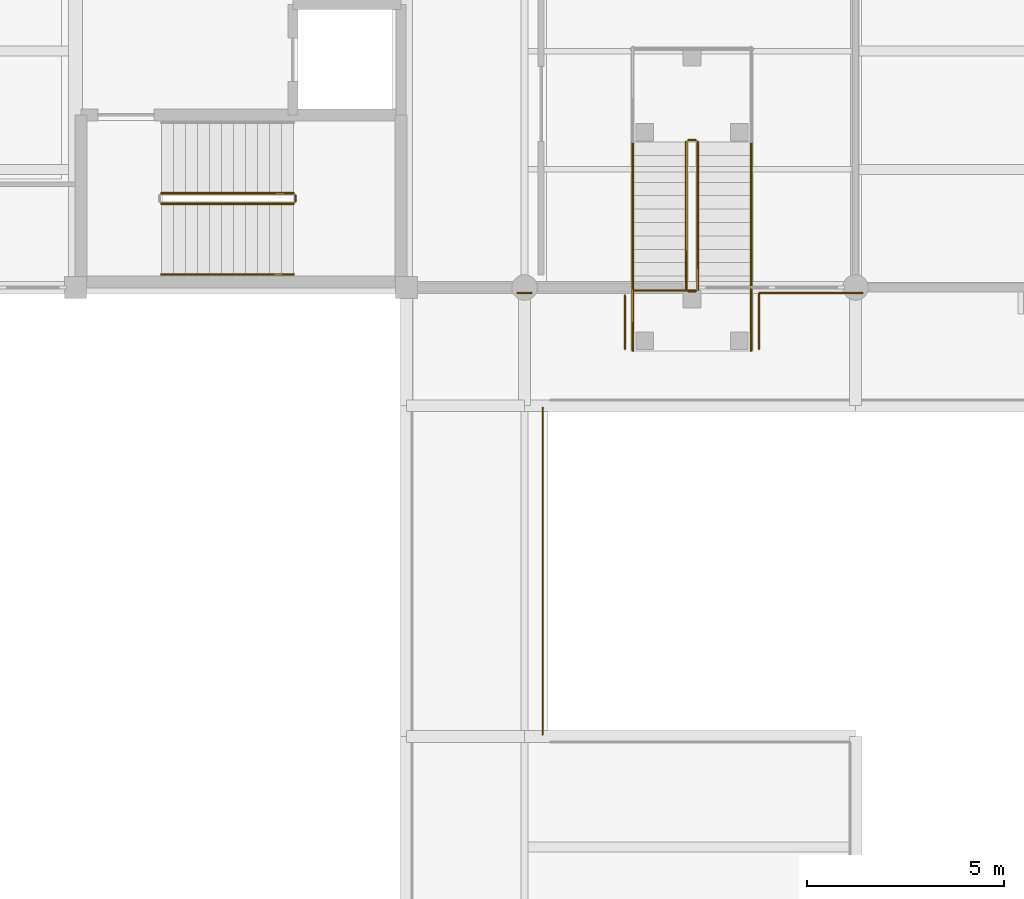
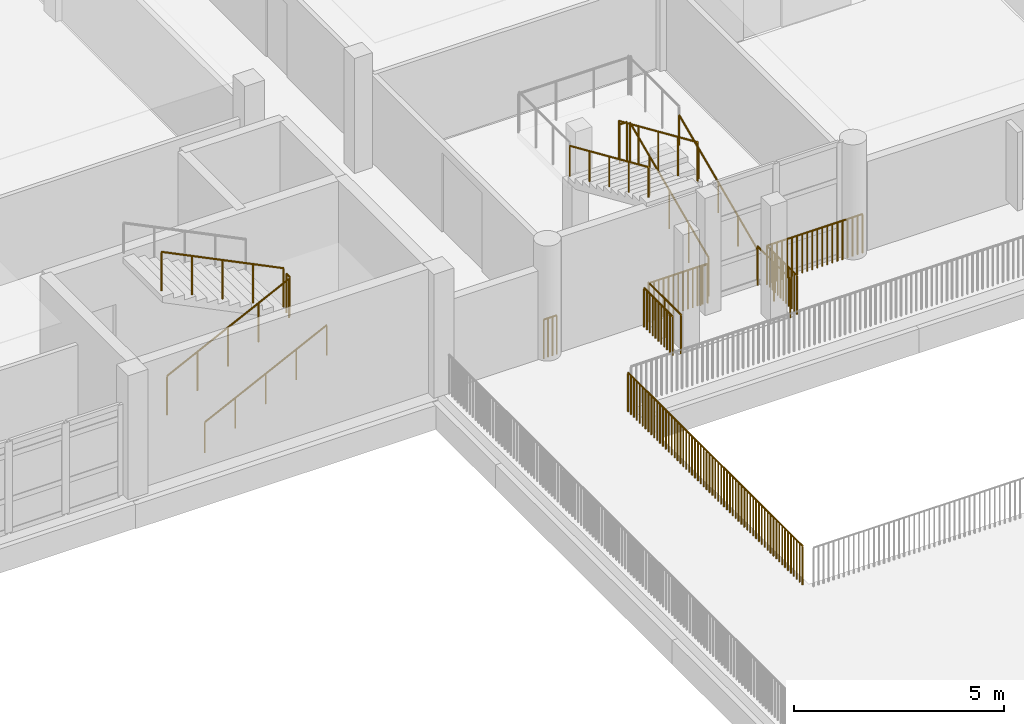
# One storey, part 39 of 51: 18 railings.
"""IFC4 building model written with IfcOpenShell, lengths in metres."""

from ifc_helpers import new_model, si_unit, direction, frame, origin, origin_2d, place, context, subcontext, project, spatial, circle, extrude, material, type_object, element, save


model = new_model("IFC4")

# Units and contexts
model_context = context("Model", 3, precision=1e-05, world=origin(), true_north=direction((0.0, 1.0)))
body_context = subcontext(model_context, "Body", "Model", "MODEL_VIEW")
ifc_project = project(units=[si_unit("LENGTHUNIT", "METRE"), si_unit("AREAUNIT", "SQUARE_METRE"), si_unit("VOLUMEUNIT", "CUBIC_METRE"), si_unit("PLANEANGLEUNIT", "RADIAN"), si_unit("MASSUNIT", "GRAM", prefix="KILO")], contexts=[model_context])

# Site, building, storey
site_placement = place(None, origin())
site = spatial("IfcSite", under=ifc_project, at=site_placement, CompositionType="ELEMENT")
building_placement = place(site_placement, origin())
building = spatial("IfcBuilding", under=site, at=building_placement, Name="Vanh Quang Courtyard School", CompositionType="ELEMENT")
storey_placement = place(building_placement, frame((0.0, 0.0, 11.39990234375)))
storey = spatial("IfcBuildingStorey", under=building, at=storey_placement, Name="L03", CompositionType="ELEMENT", Elevation=11.39990234375)

# Railings
ifc_material_1 = material(Name="Galvanised painted steel EN 10025-2 S355J2", Category="steel")
railing_type_1 = type_object("IfcRailingType", Name="RAIL-GUARD-1150", PredefinedType="BALUSTRADE", material=ifc_material_1)
railing_1_placement = place(storey_placement, frame((77.2197265625, 32.260009765625, 0.0)))
element("IfcRailing", 1, at=railing_1_placement, inside=storey, type_object=railing_type_1, Name="Railing GR-01 (L03)", PredefinedType="BALUSTRADE", context=body_context, shape_type="SweptSolid", body=[
    extrude(circle(Radius=0.02392578125, at=origin_2d()), frame((0.0, 0.0, 1.1259765625), z_axis=(1.0, 0.0, 0.0), x_axis=(0.0, 1.0, 0.0)), (0.0, 0.0, 1.0), 0.360595703125),
    extrude(circle(Radius=0.02099609375, at=origin_2d()), origin(), (0.0, 0.0, 1.0), 1.101806640625),
    extrude(circle(Radius=0.02099609375, at=origin_2d()), frame((0.1201171875, 0.0, 0.0)), (0.0, 0.0, 1.0), 1.101806640625),
    extrude(circle(Radius=0.02099609375, at=origin_2d()), frame((0.240478515625, 0.0, 0.0)), (0.0, 0.0, 1.0), 1.101806640625),
    extrude(circle(Radius=0.02099609375, at=origin_2d()), frame((0.360595703125, 0.0, 0.0)), (0.0, 0.0, 1.0), 1.101806640625),
])
railing_2_placement = place(storey_placement, frame((79.945068359375, 32.199951171875, 0.0)))
element("IfcRailing", 2, at=railing_2_placement, inside=storey, type_object=railing_type_1, Name="Railing GR-01 (L03)", PredefinedType="BALUSTRADE", context=body_context, shape_type="SweptSolid", body=[
    extrude(circle(Radius=0.02392578125, at=origin_2d()), frame((0.0, 0.0, 1.1259765625), z_axis=(0.0, -1.0, 0.0), x_axis=(1.0, 0.0, 0.0)), (0.0, 0.0, 1.0), 1.364990234375),
    extrude(circle(Radius=0.02099609375, at=origin_2d()), origin(), (0.0, 0.0, 1.0), 1.101806640625),
    extrude(circle(Radius=0.02099609375, at=origin_2d()), frame((0.0, -0.136474609375, 0.0)), (0.0, 0.0, 1.0), 1.101806640625),
    extrude(circle(Radius=0.02099609375, at=origin_2d()), frame((0.0, -0.27294921875, 0.0)), (0.0, 0.0, 1.0), 1.101806640625),
    extrude(circle(Radius=0.02099609375, at=origin_2d()), frame((0.0, -0.409423828125, 0.0)), (0.0, 0.0, 1.0), 1.101806640625),
    extrude(circle(Radius=0.02099609375, at=origin_2d()), frame((0.0, -0.5458984375, 0.0)), (0.0, 0.0, 1.0), 1.101806640625),
    extrude(circle(Radius=0.02099609375, at=origin_2d()), frame((0.0, -0.6826171875, 0.0)), (0.0, 0.0, 1.0), 1.101806640625),
    extrude(circle(Radius=0.02099609375, at=origin_2d()), frame((0.0, -0.819091796875, 0.0)), (0.0, 0.0, 1.0), 1.101806640625),
    extrude(circle(Radius=0.02099609375, at=origin_2d()), frame((0.0, -0.95556640625, 0.0)), (0.0, 0.0, 1.0), 1.101806640625),
    extrude(circle(Radius=0.02099609375, at=origin_2d()), frame((0.0, -1.092041015625, 0.0)), (0.0, 0.0, 1.0), 1.101806640625),
    extrude(circle(Radius=0.02099609375, at=origin_2d()), frame((0.0, -1.228515625, 0.0)), (0.0, 0.0, 1.0), 1.101806640625),
    extrude(circle(Radius=0.02099609375, at=origin_2d()), frame((0.0, -1.364990234375, 0.0)), (0.0, 0.0, 1.0), 1.101806640625),
])
railing_3_placement = place(storey_placement, frame((83.35498046875, 30.8369140625, 0.0)))
element("IfcRailing", 3, at=railing_3_placement, inside=storey, type_object=railing_type_1, Name="Railing GR-01 (L03)", PredefinedType="BALUSTRADE", context=body_context, shape_type="SweptSolid", body=[
    extrude(circle(Radius=0.02392578125, at=origin_2d()), frame((0.0, 0.0, 1.1259765625), z_axis=(-0.001200891225, 0.99999927893, 0.0), x_axis=(-0.99999927893, -0.001200891225, 0.0)), (0.0, 0.0, 1.0), 1.423095703125),
    extrude(circle(Radius=0.02099609375, at=origin_2d()), origin(), (0.0, 0.0, 1.0), 1.101806640625),
    extrude(circle(Radius=0.02099609375, at=origin_2d()), frame((-0.000244140625, 0.12939453125, 0.0)), (0.0, 0.0, 1.0), 1.101806640625),
    extrude(circle(Radius=0.02099609375, at=origin_2d()), frame((-0.000244140625, 0.2587890625, 0.0)), (0.0, 0.0, 1.0), 1.101806640625),
    extrude(circle(Radius=0.02099609375, at=origin_2d()), frame((-0.00048828125, 0.38818359375, 0.0)), (0.0, 0.0, 1.0), 1.101806640625),
    extrude(circle(Radius=0.02099609375, at=origin_2d()), frame((-0.000732421875, 0.517578125, 0.0)), (0.0, 0.0, 1.0), 1.101806640625),
    extrude(circle(Radius=0.02099609375, at=origin_2d()), frame((-0.000732421875, 0.64697265625, 0.0)), (0.0, 0.0, 1.0), 1.101806640625),
    extrude(circle(Radius=0.02099609375, at=origin_2d()), frame((-0.0009765625, 0.776123046875, 0.0)), (0.0, 0.0, 1.0), 1.101806640625),
    extrude(circle(Radius=0.02099609375, at=origin_2d()), frame((-0.0009765625, 0.905517578125, 0.0)), (0.0, 0.0, 1.0), 1.101806640625),
    extrude(circle(Radius=0.02099609375, at=origin_2d()), frame((-0.001220703125, 1.034912109375, 0.0)), (0.0, 0.0, 1.0), 1.101806640625),
    extrude(circle(Radius=0.02099609375, at=origin_2d()), frame((-0.00146484375, 1.164306640625, 0.0)), (0.0, 0.0, 1.0), 1.101806640625),
    extrude(circle(Radius=0.02099609375, at=origin_2d()), frame((-0.00146484375, 1.293701171875, 0.0)), (0.0, 0.0, 1.0), 1.101806640625),
    extrude(circle(Radius=0.02099609375, at=origin_2d()), frame((-0.001708984375, 1.423095703125, 0.0)), (0.0, 0.0, 1.0), 1.101806640625),
])
railing_4_placement = place(storey_placement, frame((83.353271484375, 32.260009765625, 0.0)))
element("IfcRailing", 4, at=railing_4_placement, inside=storey, type_object=railing_type_1, Name="Railing GR-01 (L03)", PredefinedType="BALUSTRADE", context=body_context, shape_type="SweptSolid", body=[
    extrude(circle(Radius=0.02392578125, at=origin_2d()), frame((0.0, 0.0, 1.1259765625), z_axis=(1.0, 0.0, 0.0), x_axis=(0.0, 1.0, 0.0)), (0.0, 0.0, 1.0), 2.626953125),
    extrude(circle(Radius=0.02099609375, at=origin_2d()), origin(), (0.0, 0.0, 1.0), 1.101806640625),
    extrude(circle(Radius=0.02099609375, at=origin_2d()), frame((0.13818359375, 0.0, 0.0)), (0.0, 0.0, 1.0), 1.101806640625),
    extrude(circle(Radius=0.02099609375, at=origin_2d()), frame((0.276611328125, 0.0, 0.0)), (0.0, 0.0, 1.0), 1.101806640625),
    extrude(circle(Radius=0.02099609375, at=origin_2d()), frame((0.414794921875, 0.0, 0.0)), (0.0, 0.0, 1.0), 1.101806640625),
    extrude(circle(Radius=0.02099609375, at=origin_2d()), frame((0.552978515625, 0.0, 0.0)), (0.0, 0.0, 1.0), 1.101806640625),
    extrude(circle(Radius=0.02099609375, at=origin_2d()), frame((0.69140625, 0.0, 0.0)), (0.0, 0.0, 1.0), 1.101806640625),
    extrude(circle(Radius=0.02099609375, at=origin_2d()), frame((0.82958984375, 0.0, 0.0)), (0.0, 0.0, 1.0), 1.101806640625),
    extrude(circle(Radius=0.02099609375, at=origin_2d()), frame((0.9677734375, 0.0, 0.0)), (0.0, 0.0, 1.0), 1.101806640625),
    extrude(circle(Radius=0.02099609375, at=origin_2d()), frame((1.106201171875, 0.0, 0.0)), (0.0, 0.0, 1.0), 1.101806640625),
    extrude(circle(Radius=0.02099609375, at=origin_2d()), frame((1.244384765625, 0.0, 0.0)), (0.0, 0.0, 1.0), 1.101806640625),
    extrude(circle(Radius=0.02099609375, at=origin_2d()), frame((1.382568359375, 0.0, 0.0)), (0.0, 0.0, 1.0), 1.101806640625),
    extrude(circle(Radius=0.02099609375, at=origin_2d()), frame((1.520751953125, 0.0, 0.0)), (0.0, 0.0, 1.0), 1.101806640625),
    extrude(circle(Radius=0.02099609375, at=origin_2d()), frame((1.6591796875, 0.0, 0.0)), (0.0, 0.0, 1.0), 1.101806640625),
    extrude(circle(Radius=0.02099609375, at=origin_2d()), frame((1.79736328125, 0.0, 0.0)), (0.0, 0.0, 1.0), 1.101806640625),
    extrude(circle(Radius=0.02099609375, at=origin_2d()), frame((1.935546875, 0.0, 0.0)), (0.0, 0.0, 1.0), 1.101806640625),
    extrude(circle(Radius=0.02099609375, at=origin_2d()), frame((2.073974609375, 0.0, 0.0)), (0.0, 0.0, 1.0), 1.101806640625),
    extrude(circle(Radius=0.02099609375, at=origin_2d()), frame((2.212158203125, 0.0, 0.0)), (0.0, 0.0, 1.0), 1.101806640625),
    extrude(circle(Radius=0.02099609375, at=origin_2d()), frame((2.350341796875, 0.0, 0.0)), (0.0, 0.0, 1.0), 1.101806640625),
    extrude(circle(Radius=0.02099609375, at=origin_2d()), frame((2.48876953125, 0.0, 0.0)), (0.0, 0.0, 1.0), 1.101806640625),
    extrude(circle(Radius=0.02099609375, at=origin_2d()), frame((2.626953125, 0.0, 0.0)), (0.0, 0.0, 1.0), 1.101806640625),
])
railing_5_placement = place(storey_placement, frame((77.860107421875, 29.35009765625, 0.0)))
element("IfcRailing", 5, at=railing_5_placement, inside=storey, type_object=railing_type_1, Name="Railing GR-01 (L03)", PredefinedType="BALUSTRADE", context=body_context, shape_type="SweptSolid", body=[
    extrude(circle(Radius=0.02392578125, at=origin_2d()), frame((0.0, 0.0, 1.1259765625), z_axis=(0.0, -1.0, 0.0), x_axis=(1.0, 0.0, 0.0)), (0.0, 0.0, 1.0), 8.300048828125),
    extrude(circle(Radius=0.02099609375, at=origin_2d()), origin(), (0.0, 0.0, 1.0), 1.101806640625),
    extrude(circle(Radius=0.02099609375, at=origin_2d()), frame((0.0, -0.138427734375, 0.0)), (0.0, 0.0, 1.0), 1.101806640625),
    extrude(circle(Radius=0.02099609375, at=origin_2d()), frame((0.0, -0.276611328125, 0.0)), (0.0, 0.0, 1.0), 1.101806640625),
    extrude(circle(Radius=0.02099609375, at=origin_2d()), frame((0.0, -0.4150390625, 0.0)), (0.0, 0.0, 1.0), 1.101806640625),
    extrude(circle(Radius=0.02099609375, at=origin_2d()), frame((0.0, -0.55322265625, 0.0)), (0.0, 0.0, 1.0), 1.101806640625),
    extrude(circle(Radius=0.02099609375, at=origin_2d()), frame((0.0, -0.691650390625, 0.0)), (0.0, 0.0, 1.0), 1.101806640625),
    extrude(circle(Radius=0.02099609375, at=origin_2d()), frame((0.0, -0.830078125, 0.0)), (0.0, 0.0, 1.0), 1.101806640625),
    extrude(circle(Radius=0.02099609375, at=origin_2d()), frame((0.0, -0.96826171875, 0.0)), (0.0, 0.0, 1.0), 1.101806640625),
    extrude(circle(Radius=0.02099609375, at=origin_2d()), frame((0.0, -1.106689453125, 0.0)), (0.0, 0.0, 1.0), 1.101806640625),
    extrude(circle(Radius=0.02099609375, at=origin_2d()), frame((0.0, -1.2451171875, 0.0)), (0.0, 0.0, 1.0), 1.101806640625),
    extrude(circle(Radius=0.02099609375, at=origin_2d()), frame((0.0, -1.38330078125, 0.0)), (0.0, 0.0, 1.0), 1.101806640625),
    extrude(circle(Radius=0.02099609375, at=origin_2d()), frame((0.0, -1.521728515625, 0.0)), (0.0, 0.0, 1.0), 1.101806640625),
    extrude(circle(Radius=0.02099609375, at=origin_2d()), frame((0.0, -1.659912109375, 0.0)), (0.0, 0.0, 1.0), 1.101806640625),
    extrude(circle(Radius=0.02099609375, at=origin_2d()), frame((0.0, -1.79833984375, 0.0)), (0.0, 0.0, 1.0), 1.101806640625),
    extrude(circle(Radius=0.02099609375, at=origin_2d()), frame((0.0, -1.936767578125, 0.0)), (0.0, 0.0, 1.0), 1.101806640625),
    extrude(circle(Radius=0.02099609375, at=origin_2d()), frame((0.0, -2.074951171875, 0.0)), (0.0, 0.0, 1.0), 1.101806640625),
    extrude(circle(Radius=0.02099609375, at=origin_2d()), frame((0.0, -2.21337890625, 0.0)), (0.0, 0.0, 1.0), 1.101806640625),
    extrude(circle(Radius=0.02099609375, at=origin_2d()), frame((0.0, -2.3515625, 0.0)), (0.0, 0.0, 1.0), 1.101806640625),
    extrude(circle(Radius=0.02099609375, at=origin_2d()), frame((0.0, -2.489990234375, 0.0)), (0.0, 0.0, 1.0), 1.101806640625),
    extrude(circle(Radius=0.02099609375, at=origin_2d()), frame((0.0, -2.62841796875, 0.0)), (0.0, 0.0, 1.0), 1.101806640625),
    extrude(circle(Radius=0.02099609375, at=origin_2d()), frame((0.0, -2.7666015625, 0.0)), (0.0, 0.0, 1.0), 1.101806640625),
    extrude(circle(Radius=0.02099609375, at=origin_2d()), frame((0.0, -2.905029296875, 0.0)), (0.0, 0.0, 1.0), 1.101806640625),
    extrude(circle(Radius=0.02099609375, at=origin_2d()), frame((0.0, -3.04345703125, 0.0)), (0.0, 0.0, 1.0), 1.101806640625),
    extrude(circle(Radius=0.02099609375, at=origin_2d()), frame((0.0, -3.181640625, 0.0)), (0.0, 0.0, 1.0), 1.101806640625),
    extrude(circle(Radius=0.02099609375, at=origin_2d()), frame((0.0, -3.320068359375, 0.0)), (0.0, 0.0, 1.0), 1.101806640625),
    extrude(circle(Radius=0.02099609375, at=origin_2d()), frame((0.0, -3.458251953125, 0.0)), (0.0, 0.0, 1.0), 1.101806640625),
    extrude(circle(Radius=0.02099609375, at=origin_2d()), frame((0.0, -3.5966796875, 0.0)), (0.0, 0.0, 1.0), 1.101806640625),
    extrude(circle(Radius=0.02099609375, at=origin_2d()), frame((0.0, -3.735107421875, 0.0)), (0.0, 0.0, 1.0), 1.101806640625),
    extrude(circle(Radius=0.02099609375, at=origin_2d()), frame((0.0, -3.873291015625, 0.0)), (0.0, 0.0, 1.0), 1.101806640625),
    extrude(circle(Radius=0.02099609375, at=origin_2d()), frame((0.0, -4.01171875, 0.0)), (0.0, 0.0, 1.0), 1.101806640625),
    extrude(circle(Radius=0.02099609375, at=origin_2d()), frame((0.0, -4.14990234375, 0.0)), (0.0, 0.0, 1.0), 1.101806640625),
    extrude(circle(Radius=0.02099609375, at=origin_2d()), frame((0.0, -4.288330078125, 0.0)), (0.0, 0.0, 1.0), 1.101806640625),
    extrude(circle(Radius=0.02099609375, at=origin_2d()), frame((0.0, -4.4267578125, 0.0)), (0.0, 0.0, 1.0), 1.101806640625),
    extrude(circle(Radius=0.02099609375, at=origin_2d()), frame((0.0, -4.56494140625, 0.0)), (0.0, 0.0, 1.0), 1.101806640625),
    extrude(circle(Radius=0.02099609375, at=origin_2d()), frame((0.0, -4.703369140625, 0.0)), (0.0, 0.0, 1.0), 1.101806640625),
    extrude(circle(Radius=0.02099609375, at=origin_2d()), frame((0.0, -4.841796875, 0.0)), (0.0, 0.0, 1.0), 1.101806640625),
    extrude(circle(Radius=0.02099609375, at=origin_2d()), frame((0.0, -4.97998046875, 0.0)), (0.0, 0.0, 1.0), 1.101806640625),
    extrude(circle(Radius=0.02099609375, at=origin_2d()), frame((0.0, -5.118408203125, 0.0)), (0.0, 0.0, 1.0), 1.101806640625),
    extrude(circle(Radius=0.02099609375, at=origin_2d()), frame((0.0, -5.256591796875, 0.0)), (0.0, 0.0, 1.0), 1.101806640625),
    extrude(circle(Radius=0.02099609375, at=origin_2d()), frame((0.0, -5.39501953125, 0.0)), (0.0, 0.0, 1.0), 1.101806640625),
    extrude(circle(Radius=0.02099609375, at=origin_2d()), frame((0.0, -5.533447265625, 0.0)), (0.0, 0.0, 1.0), 1.101806640625),
    extrude(circle(Radius=0.02099609375, at=origin_2d()), frame((0.0, -5.671630859375, 0.0)), (0.0, 0.0, 1.0), 1.101806640625),
    extrude(circle(Radius=0.02099609375, at=origin_2d()), frame((0.0, -5.81005859375, 0.0)), (0.0, 0.0, 1.0), 1.101806640625),
    extrude(circle(Radius=0.02099609375, at=origin_2d()), frame((0.0, -5.948486328125, 0.0)), (0.0, 0.0, 1.0), 1.101806640625),
    extrude(circle(Radius=0.02099609375, at=origin_2d()), frame((0.0, -6.086669921875, 0.0)), (0.0, 0.0, 1.0), 1.101806640625),
    extrude(circle(Radius=0.02099609375, at=origin_2d()), frame((0.0, -6.22509765625, 0.0)), (0.0, 0.0, 1.0), 1.101806640625),
    extrude(circle(Radius=0.02099609375, at=origin_2d()), frame((0.0, -6.36328125, 0.0)), (0.0, 0.0, 1.0), 1.101806640625),
    extrude(circle(Radius=0.02099609375, at=origin_2d()), frame((0.0, -6.501708984375, 0.0)), (0.0, 0.0, 1.0), 1.101806640625),
    extrude(circle(Radius=0.02099609375, at=origin_2d()), frame((0.0, -6.64013671875, 0.0)), (0.0, 0.0, 1.0), 1.101806640625),
    extrude(circle(Radius=0.02099609375, at=origin_2d()), frame((0.0, -6.7783203125, 0.0)), (0.0, 0.0, 1.0), 1.101806640625),
    extrude(circle(Radius=0.02099609375, at=origin_2d()), frame((0.0, -6.916748046875, 0.0)), (0.0, 0.0, 1.0), 1.101806640625),
    extrude(circle(Radius=0.02099609375, at=origin_2d()), frame((0.0, -7.054931640625, 0.0)), (0.0, 0.0, 1.0), 1.101806640625),
    extrude(circle(Radius=0.02099609375, at=origin_2d()), frame((0.0, -7.193359375, 0.0)), (0.0, 0.0, 1.0), 1.101806640625),
    extrude(circle(Radius=0.02099609375, at=origin_2d()), frame((0.0, -7.331787109375, 0.0)), (0.0, 0.0, 1.0), 1.101806640625),
    extrude(circle(Radius=0.02099609375, at=origin_2d()), frame((0.0, -7.469970703125, 0.0)), (0.0, 0.0, 1.0), 1.101806640625),
    extrude(circle(Radius=0.02099609375, at=origin_2d()), frame((0.0, -7.6083984375, 0.0)), (0.0, 0.0, 1.0), 1.101806640625),
    extrude(circle(Radius=0.02099609375, at=origin_2d()), frame((0.0, -7.746826171875, 0.0)), (0.0, 0.0, 1.0), 1.101806640625),
    extrude(circle(Radius=0.02099609375, at=origin_2d()), frame((0.0, -7.885009765625, 0.0)), (0.0, 0.0, 1.0), 1.101806640625),
    extrude(circle(Radius=0.02099609375, at=origin_2d()), frame((0.0, -8.0234375, 0.0)), (0.0, 0.0, 1.0), 1.101806640625),
    extrude(circle(Radius=0.02099609375, at=origin_2d()), frame((0.0, -8.16162109375, 0.0)), (0.0, 0.0, 1.0), 1.101806640625),
    extrude(circle(Radius=0.02099609375, at=origin_2d()), frame((0.0, -8.300048828125, 0.0)), (0.0, 0.0, 1.0), 1.101806640625),
])
railing_6_placement = place(storey_placement, frame((68.179931640625, 34.530029296875, 0.150146484375)))
element("IfcRailing", 6, at=railing_6_placement, inside=storey, type_object=railing_type_1, Name="L03 ST-04 stair guard 1", PredefinedType="BALUSTRADE", context=body_context, shape_type="SweptSolid", body=[
    extrude(circle(Radius=0.02392578125, at=origin_2d()), frame((0.0, 0.0, 1.1259765625), z_axis=(0.897359292542, 0.0, 0.441300691239), x_axis=(0.0, 1.0, 0.0)), (0.0, 0.0, 1.0), 3.73876953125),
    extrude(circle(Radius=0.02099609375, at=origin_2d()), origin(), (0.0, 0.0, 1.0), 1.101806640625),
    extrude(circle(Radius=0.02099609375, at=origin_2d()), frame((0.8388671875, 0.0, 0.41259765625)), (0.0, 0.0, 1.0), 1.101806640625),
    extrude(circle(Radius=0.02099609375, at=origin_2d()), frame((1.677490234375, 0.0, 0.824951171875)), (0.0, 0.0, 1.0), 1.101806640625),
    extrude(circle(Radius=0.02099609375, at=origin_2d()), frame((2.51611328125, 0.0, 1.2373046875)), (0.0, 0.0, 1.0), 1.101806640625),
    extrude(circle(Radius=0.02099609375, at=origin_2d()), frame((3.35498046875, 0.0, 1.64990234375)), (0.0, 0.0, 1.0), 1.101806640625),
])
railing_7_placement = place(storey_placement, frame((71.5849609375, 34.580078125, 1.800048828125)))
element("IfcRailing", 7, at=railing_7_placement, inside=storey, type_object=railing_type_1, Name="L03 ST-04 stair guard 2", PredefinedType="BALUSTRADE", context=body_context, shape_type="SweptSolid", body=[
    extrude(circle(Radius=0.02392578125, at=origin_2d()), frame((0.0, 0.0, 1.1259765625), z_axis=(0.0, 1.0, 0.0), x_axis=(-1.0, 0.0, 0.0)), (0.0, 0.0, 1.0), 0.159912109375),
    extrude(circle(Radius=0.02099609375, at=origin_2d()), origin(), (0.0, 0.0, 1.0), 1.101806640625),
    extrude(circle(Radius=0.02099609375, at=origin_2d()), frame((0.0, 0.159912109375, 0.0)), (0.0, 0.0, 1.0), 1.101806640625),
])
railing_8_placement = place(storey_placement, frame((71.534912109375, 34.7900390625, 1.9501953125)))
element("IfcRailing", 8, at=railing_8_placement, inside=storey, type_object=railing_type_1, Name="L03 ST-04 stair guard 3", PredefinedType="BALUSTRADE", context=body_context, shape_type="SweptSolid", body=[
    extrude(circle(Radius=0.02392578125, at=origin_2d()), frame((0.0, 0.0, 1.1259765625), z_axis=(-0.897359292542, 0.0, 0.441300691239), x_axis=(0.0, -1.0, 0.0)), (0.0, 0.0, 1.0), 3.73876953125),
    extrude(circle(Radius=0.02099609375, at=origin_2d()), origin(), (0.0, 0.0, 1.0), 1.101806640625),
    extrude(circle(Radius=0.02099609375, at=origin_2d()), frame((-0.8388671875, 0.0, 0.41259765625)), (0.0, 0.0, 1.0), 1.101806640625),
    extrude(circle(Radius=0.02099609375, at=origin_2d()), frame((-1.677490234375, 0.0, 0.824951171875)), (0.0, 0.0, 1.0), 1.101806640625),
    extrude(circle(Radius=0.02099609375, at=origin_2d()), frame((-2.51611328125, 0.0, 1.2373046875)), (0.0, 0.0, 1.0), 1.101806640625),
    extrude(circle(Radius=0.02099609375, at=origin_2d()), frame((-3.35498046875, 0.0, 1.64990234375)), (0.0, 0.0, 1.0), 1.101806640625),
])
railing_9_placement = place(storey_placement, frame((81.800048828125, 32.35009765625, 0.150146484375)))
element("IfcRailing", 9, at=railing_9_placement, inside=storey, type_object=railing_type_1, Name="L03 ST-T4 stair guard 1", PredefinedType="BALUSTRADE", context=body_context, shape_type="SweptSolid", body=[
    extrude(circle(Radius=0.02392578125, at=origin_2d()), frame((0.0, 0.0, 1.1259765625), z_axis=(0.0, 0.914926234655, 0.40362109105), x_axis=(-1.0, 0.0, 0.0)), (0.0, 0.0, 1.0), 4.087646484375),
    extrude(circle(Radius=0.02099609375, at=origin_2d()), origin(), (0.0, 0.0, 1.0), 1.101806640625),
    extrude(circle(Radius=0.02099609375, at=origin_2d()), frame((0.0, 0.93505859375, 0.41259765625)), (0.0, 0.0, 1.0), 1.101806640625),
    extrude(circle(Radius=0.02099609375, at=origin_2d()), frame((0.0, 1.8701171875, 0.824951171875)), (0.0, 0.0, 1.0), 1.101806640625),
    extrude(circle(Radius=0.02099609375, at=origin_2d()), frame((0.0, 2.804931640625, 1.2373046875)), (0.0, 0.0, 1.0), 1.101806640625),
    extrude(circle(Radius=0.02099609375, at=origin_2d()), frame((0.0, 3.739990234375, 1.64990234375)), (0.0, 0.0, 1.0), 1.101806640625),
])
railing_10_placement = place(storey_placement, frame((81.75, 36.139892578125, 1.800048828125)))
element("IfcRailing", 10, at=railing_10_placement, inside=storey, type_object=railing_type_1, Name="L03 ST-T4 stair guard 2", PredefinedType="BALUSTRADE", context=body_context, shape_type="SweptSolid", body=[
    extrude(circle(Radius=0.02392578125, at=origin_2d()), frame((0.0, 0.0, 1.1259765625), z_axis=(-1.0, 0.0, 0.0), x_axis=(0.0, -1.0, 0.0)), (0.0, 0.0, 1.0), 0.199951171875),
    extrude(circle(Radius=0.02099609375, at=origin_2d()), origin(), (0.0, 0.0, 1.0), 1.101806640625),
    extrude(circle(Radius=0.02099609375, at=origin_2d()), frame((-0.199951171875, 0.0, 0.0)), (0.0, 0.0, 1.0), 1.101806640625),
])
railing_11_placement = place(storey_placement, frame((81.5, 36.090087890625, 1.9501953125)))
element("IfcRailing", 11, at=railing_11_placement, inside=storey, type_object=railing_type_1, Name="L03 ST-T4 stair guard 6", PredefinedType="BALUSTRADE", context=body_context, shape_type="SweptSolid", body=[
    extrude(circle(Radius=0.02392578125, at=origin_2d()), frame((0.0, 0.0, 1.1259765625), z_axis=(0.0, -0.914926234655, 0.40362109105), x_axis=(1.0, 0.0, 0.0)), (0.0, 0.0, 1.0), 4.087646484375),
    extrude(circle(Radius=0.02099609375, at=origin_2d()), origin(), (0.0, 0.0, 1.0), 1.101806640625),
    extrude(circle(Radius=0.02099609375, at=origin_2d()), frame((0.0, -0.93505859375, 0.41259765625)), (0.0, 0.0, 1.0), 1.101806640625),
    extrude(circle(Radius=0.02099609375, at=origin_2d()), frame((0.0, -1.8701171875, 0.824951171875)), (0.0, 0.0, 1.0), 1.101806640625),
    extrude(circle(Radius=0.02099609375, at=origin_2d()), frame((0.0, -2.804931640625, 1.2373046875)), (0.0, 0.0, 1.0), 1.101806640625),
    extrude(circle(Radius=0.02099609375, at=origin_2d()), frame((0.0, -3.739990234375, 1.64990234375)), (0.0, 0.0, 1.0), 1.101806640625),
])
railing_12_placement = place(storey_placement, frame((81.75, 32.300048828125, 0.0)))
element("IfcRailing", 12, at=railing_12_placement, inside=storey, type_object=railing_type_1, Name="L03 ST-T4 stair guard 7", PredefinedType="BALUSTRADE", context=body_context, shape_type="SweptSolid", body=[
    extrude(circle(Radius=0.02392578125, at=origin_2d()), frame((0.0, 0.0, 1.1259765625), z_axis=(-1.0, 0.0, 0.0), x_axis=(0.0, -1.0, 0.0)), (0.0, 0.0, 1.0), 0.199951171875),
    extrude(circle(Radius=0.02099609375, at=origin_2d()), origin(), (0.0, 0.0, 1.0), 1.101806640625),
    extrude(circle(Radius=0.02099609375, at=origin_2d()), frame((-0.199951171875, 0.0, 0.0)), (0.0, 0.0, 1.0), 1.101806640625),
])
for number, where, name in (
    (13, (83.14990234375, 30.800048828125, 0.0), "L03 ST-T4 stair guard 8"),
    (14, (80.14990234375, 30.800048828125, 0.0), "L03 ST-T4 stair guard 9"),
):
    element("IfcRailing", number, at=place(storey_placement, frame(where)), inside=storey, type_object=railing_type_1, Name=name, PredefinedType="BALUSTRADE", context=body_context, shape_type="SweptSolid", body=[
        extrude(circle(Radius=0.02392578125, at=origin_2d()), frame((0.0, 0.0, 1.1259765625), z_axis=(0.0, 1.0, 0.0), x_axis=(-1.0, 0.0, 0.0)), (0.0, 0.0, 1.0), 1.550048828125),
        extrude(circle(Radius=0.02099609375, at=origin_2d()), origin(), (0.0, 0.0, 1.0), 1.101806640625),
        extrude(circle(Radius=0.02099609375, at=origin_2d()), frame((0.0, 0.77490234375, 0.0)), (0.0, 0.0, 1.0), 1.101806640625),
        extrude(circle(Radius=0.02099609375, at=origin_2d()), frame((0.0, 1.550048828125, 0.0)), (0.0, 0.0, 1.0), 1.101806640625),
    ])
railing_13_placement = place(storey_placement, frame((80.14990234375, 32.320068359375, 0.0)))
element("IfcRailing", 15, at=railing_13_placement, inside=storey, type_object=railing_type_1, Name="Railing GR-01 (L03)", PredefinedType="BALUSTRADE", context=body_context, shape_type="SweptSolid", body=[
    extrude(circle(Radius=0.02392578125, at=origin_2d()), frame((0.0, 0.0, 1.1259765625), z_axis=(1.0, 0.0, 0.0), x_axis=(0.0, 1.0, 0.0)), (0.0, 0.0, 1.0), 1.60009765625),
    extrude(circle(Radius=0.02099609375, at=origin_2d()), origin(), (0.0, 0.0, 1.0), 1.101806640625),
    extrude(circle(Radius=0.02099609375, at=origin_2d()), frame((0.13330078125, 0.0, 0.0)), (0.0, 0.0, 1.0), 1.101806640625),
    extrude(circle(Radius=0.02099609375, at=origin_2d()), frame((0.2666015625, 0.0, 0.0)), (0.0, 0.0, 1.0), 1.101806640625),
    extrude(circle(Radius=0.02099609375, at=origin_2d()), frame((0.39990234375, 0.0, 0.0)), (0.0, 0.0, 1.0), 1.101806640625),
    extrude(circle(Radius=0.02099609375, at=origin_2d()), frame((0.533447265625, 0.0, 0.0)), (0.0, 0.0, 1.0), 1.101806640625),
    extrude(circle(Radius=0.02099609375, at=origin_2d()), frame((0.666748046875, 0.0, 0.0)), (0.0, 0.0, 1.0), 1.101806640625),
    extrude(circle(Radius=0.02099609375, at=origin_2d()), frame((0.800048828125, 0.0, 0.0)), (0.0, 0.0, 1.0), 1.101806640625),
    extrude(circle(Radius=0.02099609375, at=origin_2d()), frame((0.933349609375, 0.0, 0.0)), (0.0, 0.0, 1.0), 1.101806640625),
    extrude(circle(Radius=0.02099609375, at=origin_2d()), frame((1.066650390625, 0.0, 0.0)), (0.0, 0.0, 1.0), 1.101806640625),
    extrude(circle(Radius=0.02099609375, at=origin_2d()), frame((1.2001953125, 0.0, 0.0)), (0.0, 0.0, 1.0), 1.101806640625),
    extrude(circle(Radius=0.02099609375, at=origin_2d()), frame((1.33349609375, 0.0, 0.0)), (0.0, 0.0, 1.0), 1.101806640625),
    extrude(circle(Radius=0.02099609375, at=origin_2d()), frame((1.466796875, 0.0, 0.0)), (0.0, 0.0, 1.0), 1.101806640625),
    extrude(circle(Radius=0.02099609375, at=origin_2d()), frame((1.60009765625, 0.0, 0.0)), (0.0, 0.0, 1.0), 1.101806640625),
])
ifc_material_2 = material(Name="Brushed stainless steel", Category="steel")
railing_type_2 = type_object("IfcRailingType", Name="RAIL-HAND-900", PredefinedType="HANDRAIL", material=ifc_material_2)
railing_14_placement = place(storey_placement, frame((68.179931640625, 32.72998046875, 0.150146484375)))
element("IfcRailing", 16, at=railing_14_placement, inside=storey, type_object=railing_type_2, Name="L03 ST-04 stair handrail 1", PredefinedType="HANDRAIL", context=body_context, shape_type="SweptSolid", body=[
    extrude(circle(Radius=0.02392578125, at=origin_2d()), frame((0.0, 0.0, 0.8759765625), z_axis=(0.897359292542, 0.0, 0.441300691239), x_axis=(0.0, 1.0, 0.0)), (0.0, 0.0, 1.0), 3.73876953125),
    extrude(circle(Radius=0.02099609375, at=origin_2d()), origin(), (0.0, 0.0, 1.0), 0.851806640625),
    extrude(circle(Radius=0.02099609375, at=origin_2d()), frame((0.8388671875, 0.0, 0.41259765625)), (0.0, 0.0, 1.0), 0.851806640625),
    extrude(circle(Radius=0.02099609375, at=origin_2d()), frame((1.677490234375, 0.0, 0.824951171875)), (0.0, 0.0, 1.0), 0.851806640625),
    extrude(circle(Radius=0.02099609375, at=origin_2d()), frame((2.51611328125, 0.0, 1.2373046875)), (0.0, 0.0, 1.0), 0.851806640625),
    extrude(circle(Radius=0.02099609375, at=origin_2d()), frame((3.35498046875, 0.0, 1.64990234375)), (0.0, 0.0, 1.0), 0.851806640625),
])
railing_15_placement = place(storey_placement, frame((83.14990234375, 32.35009765625, 0.150146484375)))
element("IfcRailing", 17, at=railing_15_placement, inside=storey, type_object=railing_type_2, Name="L03 ST-T4 stair handrail 1", PredefinedType="HANDRAIL", context=body_context, shape_type="SweptSolid", body=[
    extrude(circle(Radius=0.02392578125, at=origin_2d()), frame((0.0, 0.0, 0.8759765625), z_axis=(0.0, 0.914926234655, 0.40362109105), x_axis=(-1.0, 0.0, 0.0)), (0.0, 0.0, 1.0), 4.087646484375),
    extrude(circle(Radius=0.02099609375, at=origin_2d()), origin(), (0.0, 0.0, 1.0), 0.851806640625),
    extrude(circle(Radius=0.02099609375, at=origin_2d()), frame((0.0, 0.93505859375, 0.41259765625)), (0.0, 0.0, 1.0), 0.851806640625),
    extrude(circle(Radius=0.02099609375, at=origin_2d()), frame((0.0, 1.8701171875, 0.824951171875)), (0.0, 0.0, 1.0), 0.851806640625),
    extrude(circle(Radius=0.02099609375, at=origin_2d()), frame((0.0, 2.804931640625, 1.2373046875)), (0.0, 0.0, 1.0), 0.851806640625),
    extrude(circle(Radius=0.02099609375, at=origin_2d()), frame((0.0, 3.739990234375, 1.64990234375)), (0.0, 0.0, 1.0), 0.851806640625),
])
railing_16_placement = place(storey_placement, frame((80.14990234375, 36.090087890625, 1.9501953125)))
element("IfcRailing", 18, at=railing_16_placement, inside=storey, type_object=railing_type_2, Name="L03 ST-T4 stair handrail 2", PredefinedType="HANDRAIL", context=body_context, shape_type="SweptSolid", body=[
    extrude(circle(Radius=0.02392578125, at=origin_2d()), frame((0.0, 0.0, 0.8759765625), z_axis=(0.0, -0.914926234655, 0.40362109105), x_axis=(1.0, 0.0, 0.0)), (0.0, 0.0, 1.0), 4.087646484375),
    extrude(circle(Radius=0.02099609375, at=origin_2d()), origin(), (0.0, 0.0, 1.0), 0.851806640625),
    extrude(circle(Radius=0.02099609375, at=origin_2d()), frame((0.0, -0.93505859375, 0.41259765625)), (0.0, 0.0, 1.0), 0.851806640625),
    extrude(circle(Radius=0.02099609375, at=origin_2d()), frame((0.0, -1.8701171875, 0.824951171875)), (0.0, 0.0, 1.0), 0.851806640625),
    extrude(circle(Radius=0.02099609375, at=origin_2d()), frame((0.0, -2.804931640625, 1.2373046875)), (0.0, 0.0, 1.0), 0.851806640625),
    extrude(circle(Radius=0.02099609375, at=origin_2d()), frame((0.0, -3.739990234375, 1.64990234375)), (0.0, 0.0, 1.0), 0.851806640625),
])

save(model, "model.ifc")
